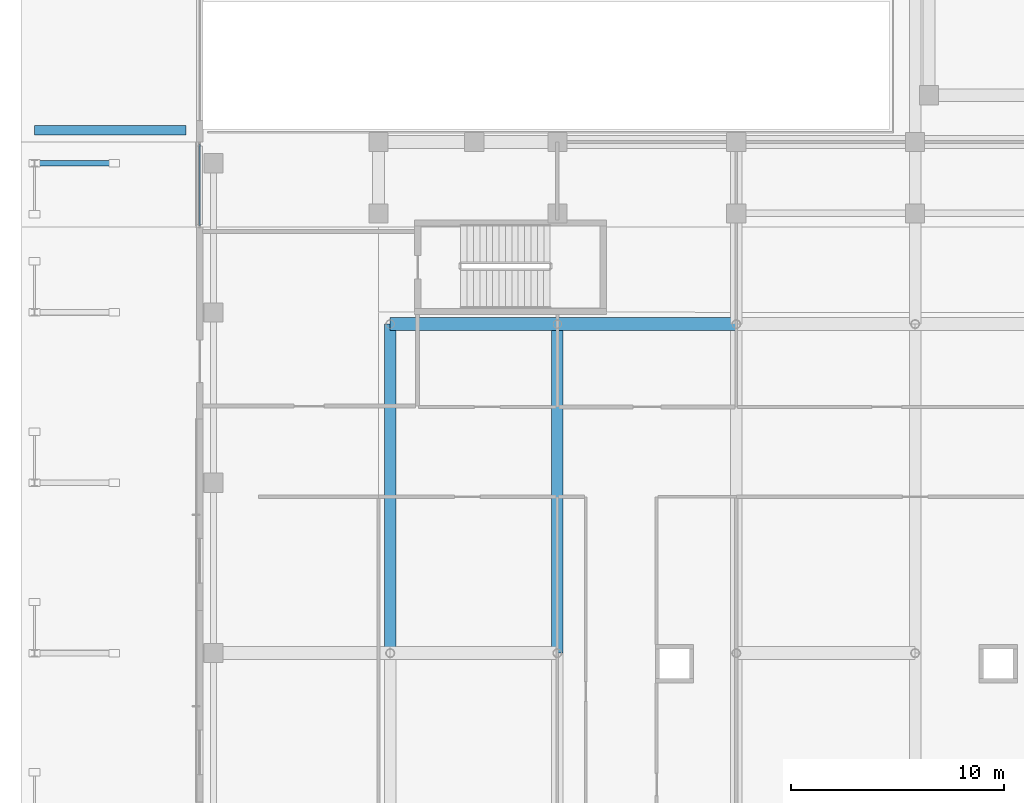
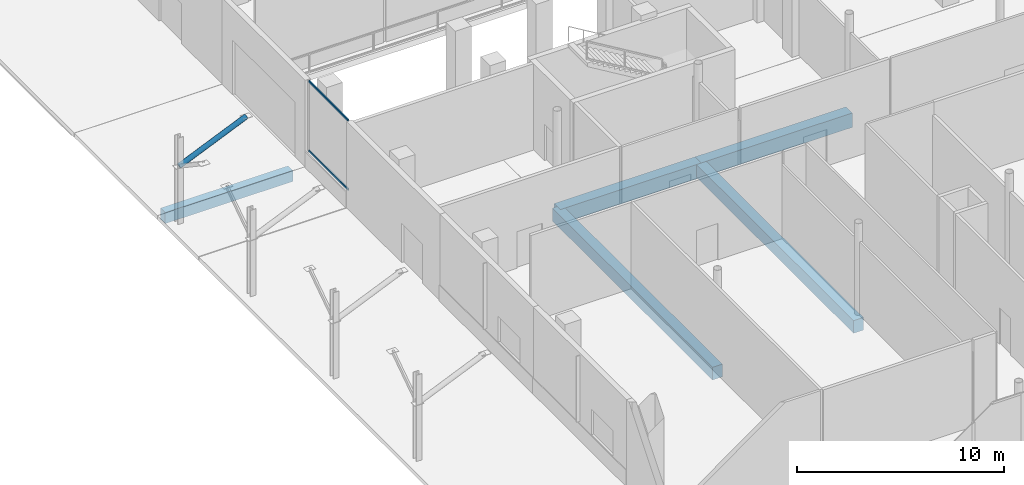
# One storey, part 68 of 158: 5 beams, 3 members, 1 element without a shape of its own.
"""IFC4 building model written with IfcOpenShell, lengths in metres."""

from ifc_helpers import new_model, si_unit, direction, frame, origin, origin_2d, place, context, subcontext, project, spatial, rectangle, hollow_rectangle, hollow_circle, extrude, material, material_profile, profile_set, type_object, element, aggregate, save


model = new_model("IFC4")

# Units and contexts
model_context = context("Model", 3, precision=1e-05, world=origin(), true_north=direction((0.0, 1.0)))
body_context = subcontext(model_context, "Body", "Model", "MODEL_VIEW")
ifc_project = project(units=[si_unit("LENGTHUNIT", "METRE"), si_unit("AREAUNIT", "SQUARE_METRE"), si_unit("VOLUMEUNIT", "CUBIC_METRE"), si_unit("PLANEANGLEUNIT", "RADIAN"), si_unit("MASSUNIT", "GRAM", prefix="KILO")], contexts=[model_context])

# Site, building, storey
site_placement = place(None, origin())
site = spatial("IfcSite", under=ifc_project, at=site_placement, CompositionType="ELEMENT")
building_placement = place(site_placement, origin())
building = spatial("IfcBuilding", under=site, at=building_placement, Name="Selatvlak General Hospital", CompositionType="ELEMENT")
storey_placement = place(building_placement, origin())
storey = spatial("IfcBuildingStorey", under=building, at=storey_placement, Name="L00", CompositionType="ELEMENT", Elevation=0.0)

# Beams
ifc_material_1 = material(Name="Concrete C40/50", Category="concrete")
ifc_material_profile_1 = material_profile(ifc_material_1, rectangle(XDim=0.60009765625, YDim=0.85009765625, at=origin_2d()), Name="RC-BM 600x850")
ifc_profile_set_1 = profile_set([ifc_material_profile_1], Name="Concrete C40/50")
beam_type_1 = type_object("IfcBeamType", Name="BM-G01", PredefinedType="BEAM", material=ifc_profile_set_1)
beam_1_placement = place(storey_placement, frame((23.35009765625, 83.449951171875, -0.77490234375), z_axis=(1.0, 0.0, 0.0), x_axis=(0.0, 1.0, 0.0)))
element("IfcBeam", 1, at=beam_1_placement, inside=storey, type_object=beam_type_1, Name="Beam BMR-L00-0043", PredefinedType="BEAM", context=body_context, shape_type="SweptSolid", body=[
    extrude(rectangle(XDim=0.60009765625, YDim=0.85009765625, at=origin_2d()), origin(), (0.0, 0.0, 1.0), 7.849853515625),
])
beam_2_placement = place(storey_placement, frame((31.199951171875, 83.449951171875, -0.77490234375), z_axis=(1.0, 0.0, 0.0), x_axis=(0.0, 1.0, 0.0)))
element("IfcBeam", 2, at=beam_2_placement, inside=storey, type_object=beam_type_1, Name="Beam BMR-L00-0044", PredefinedType="BEAM", context=body_context, shape_type="SweptSolid", body=[
    extrude(rectangle(XDim=0.60009765625, YDim=0.85009765625, at=origin_2d()), origin(), (0.0, 0.0, 1.0), 8.400146484375),
])
ifc_material_profile_2 = material_profile(ifc_material_1, rectangle(XDim=0.550048828125, YDim=0.75, at=origin_2d()), Name="RC-BM 550x750")
ifc_profile_set_2 = profile_set([ifc_material_profile_2], Name="Concrete C40/50")
beam_type_2 = type_object("IfcBeamType", Name="BM-G02", PredefinedType="BEAM", material=ifc_profile_set_2)
for number, where, z_axis, x_axis, name in (
    (3, (23.35009765625, 68.0, -0.72509765625), (0.0, 1.0, 0.0), (-1.0, 0.0, 0.0), "Beam BMR-L00-0168"),
    (4, (31.199951171875, 68.0, -0.72509765625), (0.0, 1.0, 0.0), (-1.0, 0.0, 0.0), "Beam BMR-L00-0170"),
):
    element("IfcBeam", number, at=place(storey_placement, frame(where, z_axis=z_axis, x_axis=x_axis)), inside=storey, type_object=beam_type_2, Name=name, PredefinedType="BEAM", context=body_context, shape_type="SweptSolid", body=[
        extrude(rectangle(XDim=0.550048828125, YDim=0.75, at=origin_2d()), origin(), (0.0, 0.0, 1.0), 15.449951171875),
    ])
ifc_material_profile_3 = material_profile(ifc_material_1, rectangle(XDim=0.449951171875, YDim=0.64990234375, at=origin_2d()), Name="RC-BM 450x650")
ifc_profile_set_3 = profile_set([ifc_material_profile_3], Name="Concrete C40/50")
beam_type_3 = type_object("IfcBeamType", Name="BM-G04", PredefinedType="BEAM", material=ifc_profile_set_3)
beam_3_placement = place(storey_placement, frame((6.64990234375, 92.550048828125, -0.570068359375), z_axis=(1.0, 0.0, 0.0), x_axis=(0.0, 1.0, 0.0)))
element("IfcBeam", 5, at=beam_3_placement, inside=storey, type_object=beam_type_3, Name="Beam BMR-L00-2921", PredefinedType="BEAM", context=body_context, shape_type="SweptSolid", body=[
    extrude(rectangle(XDim=0.449951171875, YDim=0.64990234375, at=origin_2d()), origin(), (0.0, 0.0, 1.0), 7.10009765625),
])

# Curtain wall, members
ifc_material_2 = material(Name="Solar-control Low-E double glazing", Category="glass")
curtain_wall_type = type_object("IfcCurtainWallType", Name="CW-CW-02", PredefinedType="USERDEFINED", material=ifc_material_2)
curtain_wall_placement = place(storey_placement, origin())
curtain_wall = element("IfcCurtainWall", 6, at=curtain_wall_placement, inside=storey, type_object=curtain_wall_type, Name="Glazed facade curtain wall CW-L00-0001", ObjectType="UNITISED CURTAIN WALL", PredefinedType="USERDEFINED")
ifc_material_3 = material(Name="Dark anodised aluminium mullion", Category="aluminium")
ifc_material_profile_4 = material_profile(ifc_material_3, hollow_rectangle(XDim=0.06494140625, YDim=0.1201171875, WallThickness=0.00390625, at=origin_2d()), Name="AL-TRN 65x120x4")
ifc_profile_set_4 = profile_set([ifc_material_profile_4], Name="Dark anodised aluminium mullion")
member_type_1 = type_object("IfcMemberType", Name="CWT-01", PredefinedType="USERDEFINED", material=ifc_profile_set_4)
member_1_placement = place(storey_placement, frame((14.39990234375, 88.0791015625, 0.972412109375), z_axis=(0.0, 1.0, 0.0), x_axis=(-1.0, 0.0, 0.0)))
member_1 = element("IfcMember", 7, at=member_1_placement, type_object=member_type_1, Name="CW-02 transom 1.1", ObjectType="TRANSOM", PredefinedType="USERDEFINED", context=body_context, shape_type="SweptSolid", body=[
    extrude(hollow_rectangle(XDim=0.06494140625, YDim=0.1201171875, WallThickness=0.00390625, at=origin_2d()), origin(), (0.0, 0.0, 1.0), 3.80078125),
])
member_2_placement = place(storey_placement, frame((14.39990234375, 88.0791015625, 5.047607421875), z_axis=(0.0, 1.0, 0.0), x_axis=(-1.0, 0.0, 0.0)))
member_2 = element("IfcMember", 8, at=member_2_placement, type_object=member_type_1, Name="CW-02 transom 1.2", ObjectType="TRANSOM", PredefinedType="USERDEFINED", context=body_context, shape_type="SweptSolid", body=[
    extrude(hollow_rectangle(XDim=0.06494140625, YDim=0.1201171875, WallThickness=0.00390625, at=origin_2d()), origin(), (0.0, 0.0, 1.0), 3.80078125),
])
aggregate(curtain_wall, [member_1, member_2])

# Member
ifc_material_4 = material(Name="Steel S355", Category="steel")
ifc_material_profile_5 = material_profile(ifc_material_4, hollow_circle(Radius=0.136474609375, WallThickness=0.010009765625, at=origin_2d()), Name="CHS 273.0x10")
ifc_profile_set_5 = profile_set([ifc_material_profile_5], Name="Steel S355")
member_type_2 = type_object("IfcMemberType", Name="MEM-ST1", PredefinedType="STRUT", material=ifc_profile_set_5)
member_3_placement = place(storey_placement, frame((6.64990234375, 91.0, 3.300048828125), z_axis=(0.918012909618, 0.0, 0.396550498393), x_axis=(0.0, 1.0, 0.0)))
element("IfcMember", 9, at=member_3_placement, inside=storey, type_object=member_type_2, Name="Ambulance canopy raking steel strut 5A", PredefinedType="STRUT", context=body_context, shape_type="SweptSolid", body=[
    extrude(hollow_circle(Radius=0.136474609375, WallThickness=0.010009765625, at=origin_2d()), origin(), (0.0, 0.0, 1.0), 4.0849609375),
])

save(model, "model.ifc")
